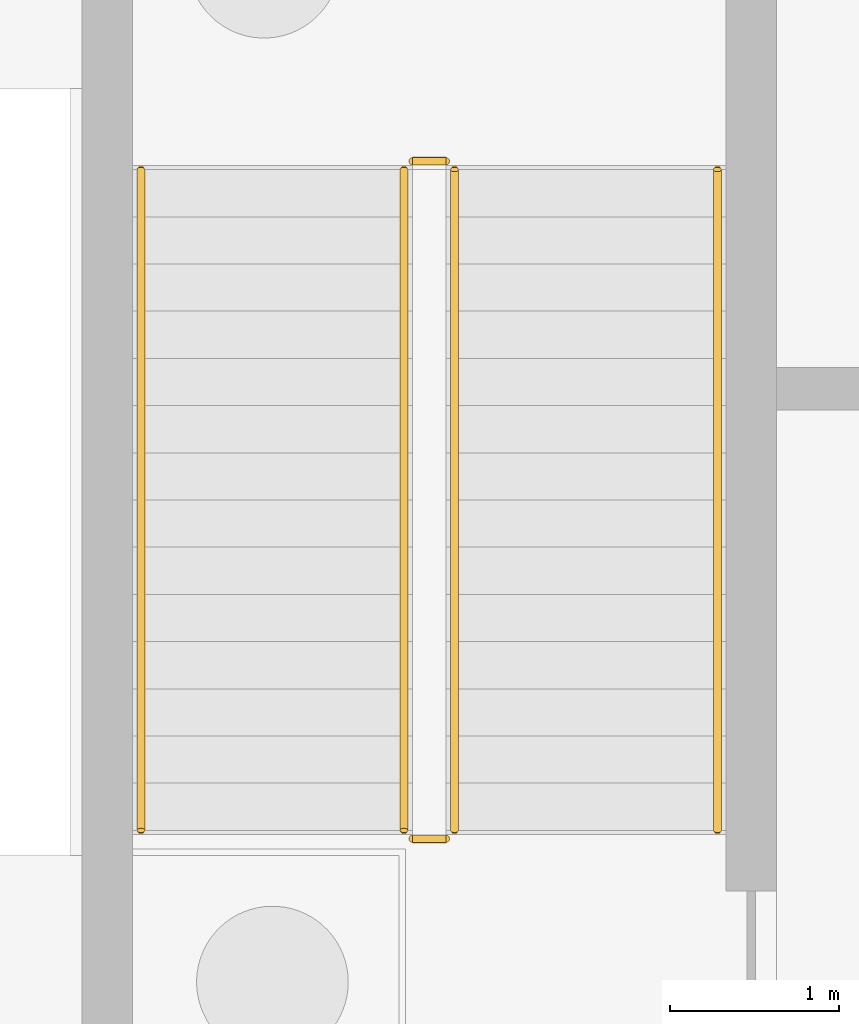
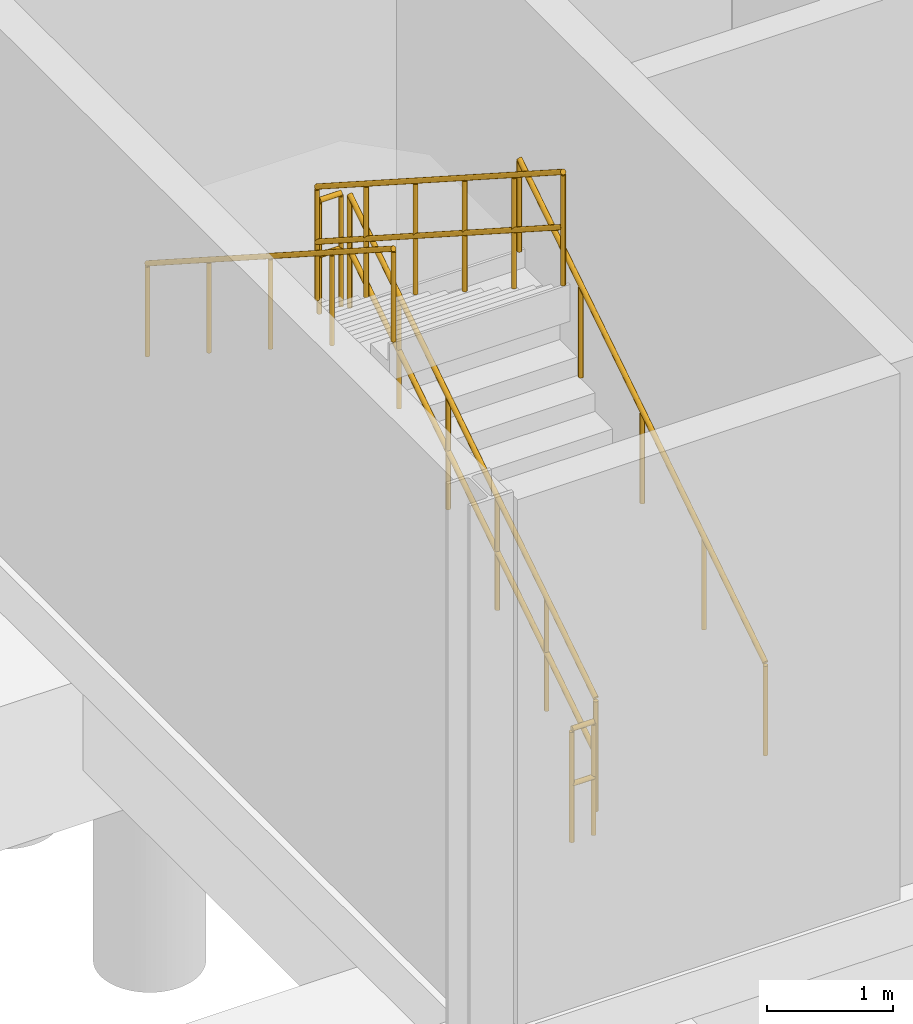
# One storey, part 53 of 61: 6 railings.
"""IFC4 building model written with IfcOpenShell, lengths in metres."""

from ifc_helpers import new_model, si_unit, direction, frame, origin, origin_2d, place, context, subcontext, project, spatial, circle, extrude, material, type_object, element, save


model = new_model("IFC4")

# Units and contexts
model_context = context("Model", 3, precision=1e-05, world=origin(), true_north=direction((0.0, 1.0)))
body_context = subcontext(model_context, "Body", "Model", "MODEL_VIEW")
ifc_project = project(units=[si_unit("LENGTHUNIT", "METRE"), si_unit("AREAUNIT", "SQUARE_METRE"), si_unit("VOLUMEUNIT", "CUBIC_METRE"), si_unit("PLANEANGLEUNIT", "RADIAN"), si_unit("MASSUNIT", "GRAM", prefix="KILO")], contexts=[model_context])

# Site, building, storey
site_placement = place(None, origin())
site = spatial("IfcSite", under=ifc_project, at=site_placement, CompositionType="ELEMENT")
building_placement = place(site_placement, origin())
building = spatial("IfcBuilding", under=site, at=building_placement, Name="Calvrana Isthmian Art Gallery", CompositionType="ELEMENT")
storey_placement = place(building_placement, frame((0.0, 0.0, -5.39990234375)))
storey = spatial("IfcBuildingStorey", under=building, at=storey_placement, Name="B1", CompositionType="ELEMENT", Elevation=-5.39990234375)

# Railings
ifc_material = material(Name="Stainless steel 316", Category="steel")
railing_type_1 = type_object("IfcRailingType", Name="RL-GUARD-1120", PredefinedType="BALUSTRADE", material=ifc_material)
railing_1_placement = place(storey_placement, frame((115.080078125, 23.699951171875, 0.179931640625)))
element("IfcRailing", 1, at=railing_1_placement, inside=storey, type_object=railing_type_1, Name="Stair ST-3 guard B1-1", PredefinedType="BALUSTRADE", context=body_context, shape_type="SweptSolid", body=[
    extrude(circle(Radius=0.02392578125, at=origin_2d()), frame((0.0, 0.0, 1.09619140625), z_axis=(0.0, 0.841186985886, 0.540744352514), x_axis=(-1.0, 0.0, 0.0)), (0.0, 0.0, 1.0), 4.660400390625),
    extrude(circle(Radius=0.02392578125, at=origin_2d()), frame((0.0, 0.0, 0.56005859375), z_axis=(0.0, 0.841186985886, 0.540744352514), x_axis=(-1.0, 0.0, 0.0)), (0.0, 0.0, 1.0), 4.660400390625),
    extrude(circle(Radius=0.02099609375, at=origin_2d()), origin(), (0.0, 0.0, 1.0), 1.072021484375),
    extrude(circle(Radius=0.02099609375, at=origin_2d()), frame((0.0, 0.783935546875, 0.50390625)), (0.0, 0.0, 1.0), 1.072021484375),
    extrude(circle(Radius=0.02099609375, at=origin_2d()), frame((0.0, 1.568115234375, 1.008056640625)), (0.0, 0.0, 1.0), 1.072021484375),
    extrude(circle(Radius=0.02099609375, at=origin_2d()), frame((0.0, 2.35205078125, 1.511962890625)), (0.0, 0.0, 1.0), 1.072021484375),
    extrude(circle(Radius=0.02099609375, at=origin_2d()), frame((0.0, 3.13623046875, 2.01611328125)), (0.0, 0.0, 1.0), 1.072021484375),
    extrude(circle(Radius=0.02099609375, at=origin_2d()), frame((0.0, 3.920166015625, 2.52001953125)), (0.0, 0.0, 1.0), 1.072021484375),
])
railing_2_placement = place(storey_placement, frame((115.030029296875, 27.669921875, 2.699951171875)))
element("IfcRailing", 2, at=railing_2_placement, inside=storey, type_object=railing_type_1, Name="Stair ST-3 guard B1-2", PredefinedType="BALUSTRADE", context=body_context, shape_type="SweptSolid", body=[
    extrude(circle(Radius=0.02392578125, at=origin_2d()), frame((0.0, 0.0, 1.09619140625), z_axis=(-1.0, 0.0, 0.0), x_axis=(0.0, -1.0, 0.0)), (0.0, 0.0, 1.0), 0.199951171875),
    extrude(circle(Radius=0.02392578125, at=origin_2d()), frame((0.0, 0.0, 0.56005859375), z_axis=(-1.0, 0.0, 0.0), x_axis=(0.0, -1.0, 0.0)), (0.0, 0.0, 1.0), 0.199951171875),
    extrude(circle(Radius=0.02099609375, at=origin_2d()), origin(), (0.0, 0.0, 1.0), 1.072021484375),
    extrude(circle(Radius=0.02099609375, at=origin_2d()), frame((-0.199951171875, 0.0, 0.0)), (0.0, 0.0, 1.0), 1.072021484375),
])
railing_3_placement = place(storey_placement, frame((114.780029296875, 27.6201171875, 2.8798828125)))
element("IfcRailing", 3, at=railing_3_placement, inside=storey, type_object=railing_type_1, Name="Stair ST-3 guard B1-3", PredefinedType="BALUSTRADE", context=body_context, shape_type="SweptSolid", body=[
    extrude(circle(Radius=0.02392578125, at=origin_2d()), frame((0.0, 0.0, 1.09619140625), z_axis=(0.0, -0.841186985886, 0.540744352514), x_axis=(1.0, 0.0, 0.0)), (0.0, 0.0, 1.0), 4.660400390625),
    extrude(circle(Radius=0.02392578125, at=origin_2d()), frame((0.0, 0.0, 0.56005859375), z_axis=(0.0, -0.841186985886, 0.540744352514), x_axis=(1.0, 0.0, 0.0)), (0.0, 0.0, 1.0), 4.660400390625),
    extrude(circle(Radius=0.02099609375, at=origin_2d()), origin(), (0.0, 0.0, 1.0), 1.072021484375),
    extrude(circle(Radius=0.02099609375, at=origin_2d()), frame((0.0, -0.783935546875, 0.50390625)), (0.0, 0.0, 1.0), 1.072021484375),
    extrude(circle(Radius=0.02099609375, at=origin_2d()), frame((0.0, -1.568115234375, 1.008056640625)), (0.0, 0.0, 1.0), 1.072021484375),
    extrude(circle(Radius=0.02099609375, at=origin_2d()), frame((0.0, -2.35205078125, 1.511962890625)), (0.0, 0.0, 1.0), 1.072021484375),
    extrude(circle(Radius=0.02099609375, at=origin_2d()), frame((0.0, -3.13623046875, 2.01611328125)), (0.0, 0.0, 1.0), 1.072021484375),
    extrude(circle(Radius=0.02099609375, at=origin_2d()), frame((0.0, -3.920166015625, 2.52001953125)), (0.0, 0.0, 1.0), 1.072021484375),
])
railing_4_placement = place(storey_placement, frame((115.030029296875, 23.64990234375, 0.0)))
element("IfcRailing", 4, at=railing_4_placement, inside=storey, type_object=railing_type_1, Name="Stair ST-3 guard B1-4", PredefinedType="BALUSTRADE", context=body_context, shape_type="SweptSolid", body=[
    extrude(circle(Radius=0.02392578125, at=origin_2d()), frame((0.0, 0.0, 1.09619140625), z_axis=(-1.0, 0.0, 0.0), x_axis=(0.0, -1.0, 0.0)), (0.0, 0.0, 1.0), 0.199951171875),
    extrude(circle(Radius=0.02392578125, at=origin_2d()), frame((0.0, 0.0, 0.56005859375), z_axis=(-1.0, 0.0, 0.0), x_axis=(0.0, -1.0, 0.0)), (0.0, 0.0, 1.0), 0.199951171875),
    extrude(circle(Radius=0.02099609375, at=origin_2d()), origin(), (0.0, 0.0, 1.0), 1.072021484375),
    extrude(circle(Radius=0.02099609375, at=origin_2d()), frame((-0.199951171875, 0.0, 0.0)), (0.0, 0.0, 1.0), 1.072021484375),
])
railing_type_2 = type_object("IfcRailingType", Name="RL-HAND-920", PredefinedType="HANDRAIL", material=ifc_material)
railing_5_placement = place(storey_placement, frame((116.639892578125, 23.699951171875, 0.179931640625)))
element("IfcRailing", 5, at=railing_5_placement, inside=storey, type_object=railing_type_2, Name="Stair ST-3 handrail B1-1", PredefinedType="HANDRAIL", context=body_context, shape_type="SweptSolid", body=[
    extrude(circle(Radius=0.02392578125, at=origin_2d()), frame((0.0, 0.0, 0.89599609375), z_axis=(0.0, 0.841186985886, 0.540744352514), x_axis=(-1.0, 0.0, 0.0)), (0.0, 0.0, 1.0), 4.660400390625),
    extrude(circle(Radius=0.02099609375, at=origin_2d()), origin(), (0.0, 0.0, 1.0), 0.871826171875),
    extrude(circle(Radius=0.02099609375, at=origin_2d()), frame((0.0, 0.97998046875, 0.6298828125)), (0.0, 0.0, 1.0), 0.871826171875),
    extrude(circle(Radius=0.02099609375, at=origin_2d()), frame((0.0, 1.9599609375, 1.260009765625)), (0.0, 0.0, 1.0), 0.871826171875),
    extrude(circle(Radius=0.02099609375, at=origin_2d()), frame((0.0, 2.940185546875, 1.89013671875)), (0.0, 0.0, 1.0), 0.871826171875),
    extrude(circle(Radius=0.02099609375, at=origin_2d()), frame((0.0, 3.920166015625, 2.52001953125)), (0.0, 0.0, 1.0), 0.871826171875),
])
railing_6_placement = place(storey_placement, frame((113.219970703125, 27.6201171875, 2.8798828125)))
element("IfcRailing", 6, at=railing_6_placement, inside=storey, type_object=railing_type_2, Name="Stair ST-3 handrail B1-2", PredefinedType="HANDRAIL", context=body_context, shape_type="SweptSolid", body=[
    extrude(circle(Radius=0.02392578125, at=origin_2d()), frame((0.0, 0.0, 0.89599609375), z_axis=(0.0, -0.841186985886, 0.540744352514), x_axis=(1.0, 0.0, 0.0)), (0.0, 0.0, 1.0), 4.660400390625),
    extrude(circle(Radius=0.02099609375, at=origin_2d()), origin(), (0.0, 0.0, 1.0), 0.871826171875),
    extrude(circle(Radius=0.02099609375, at=origin_2d()), frame((0.0, -0.97998046875, 0.6298828125)), (0.0, 0.0, 1.0), 0.871826171875),
    extrude(circle(Radius=0.02099609375, at=origin_2d()), frame((0.0, -1.9599609375, 1.260009765625)), (0.0, 0.0, 1.0), 0.871826171875),
    extrude(circle(Radius=0.02099609375, at=origin_2d()), frame((0.0, -2.940185546875, 1.89013671875)), (0.0, 0.0, 1.0), 0.871826171875),
    extrude(circle(Radius=0.02099609375, at=origin_2d()), frame((0.0, -3.920166015625, 2.52001953125)), (0.0, 0.0, 1.0), 0.871826171875),
])

save(model, "model.ifc")
